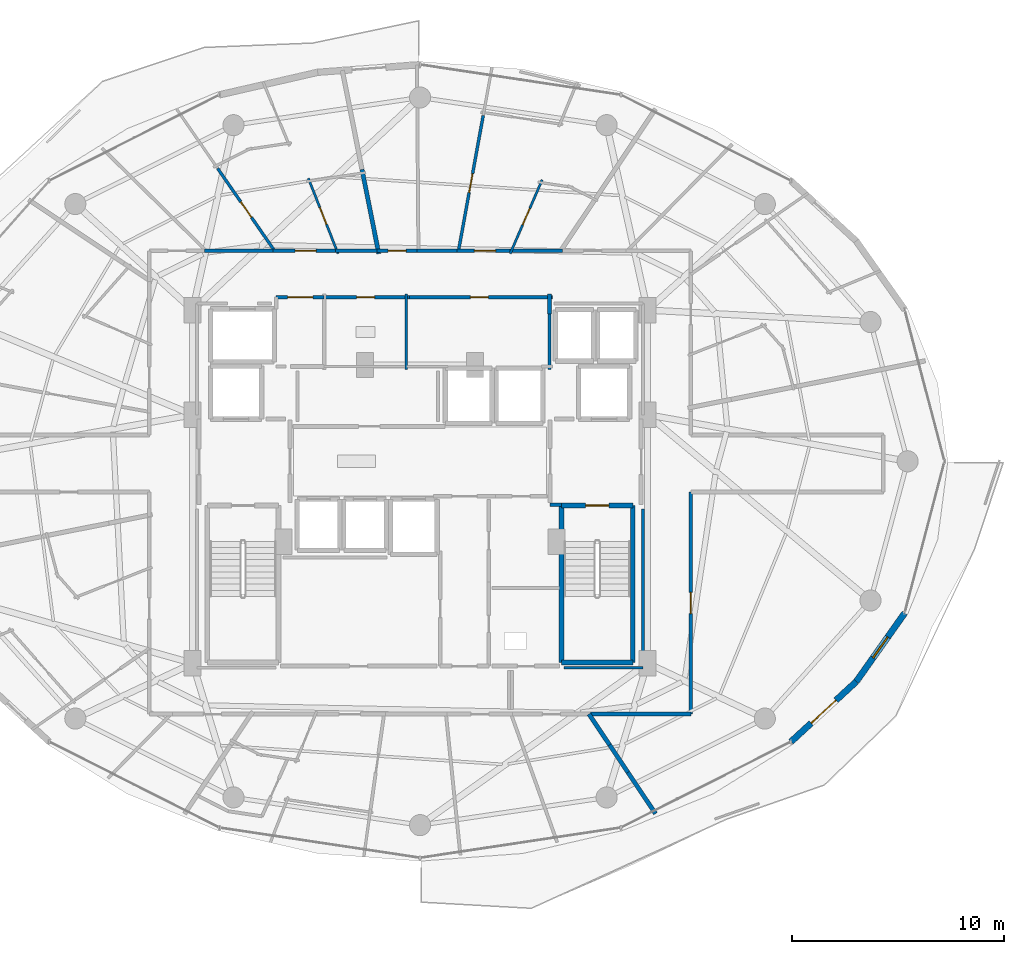
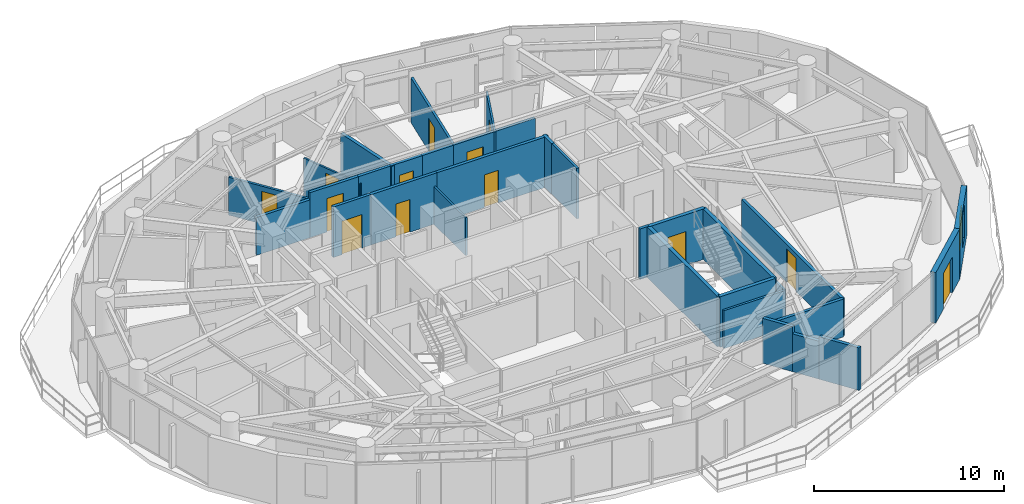
# One storey, part 23 of 29: 32 walls, 13 doors, 1 window, 14 openings.
"""IFC4 building model written with IfcOpenShell, lengths in metres."""

from ifc_helpers import new_model, si_unit, direction, frame, frame_2d, origin, place, context, subcontext, project, spatial, rectangle, extrude, material, layer, layer_set, type_object, element, fill, save


model = new_model("IFC4")

# Units and contexts
model_context = context("Model", 3, precision=1e-05, world=origin(), true_north=direction((0.0, 1.0)))
body_context = subcontext(model_context, "Body", "Model", "MODEL_VIEW")
ifc_project = project(units=[si_unit("LENGTHUNIT", "METRE"), si_unit("AREAUNIT", "SQUARE_METRE"), si_unit("VOLUMEUNIT", "CUBIC_METRE"), si_unit("PLANEANGLEUNIT", "RADIAN"), si_unit("MASSUNIT", "GRAM", prefix="KILO")], contexts=[model_context])

# Site, building, storey
site_placement = place(None, origin())
site = spatial("IfcSite", under=ifc_project, at=site_placement, CompositionType="ELEMENT")
building_placement = place(site_placement, origin())
building = spatial("IfcBuilding", under=site, at=building_placement, Name="Vorneva Point Tower", CompositionType="ELEMENT")
storey_placement = place(building_placement, frame((0.0, 0.0, 150.10009765625)))
storey = spatial("IfcBuildingStorey", under=building, at=storey_placement, Name="L40", CompositionType="ELEMENT", Elevation=150.10009765625)

# Wall, opening, door
ifc_material_1 = material(Name="Precast concrete B50 (C40/50)", Category="concrete")
ifc_layer_1 = layer(ifc_material_1, 0.300048828125)
ifc_layer_set_1 = layer_set([ifc_layer_1], Name="Precast concrete B50 (C40/50)")
wall_type_1 = type_object("IfcWallType", Name="WL-EXT-300", PredefinedType="STANDARD", material=ifc_layer_set_1)
wall_1_placement = place(storey_placement, frame((55.5361328125, 12.74169921875, 0.0), z_axis=(0.0, 0.0, 1.0), x_axis=(0.735477154165, 0.677549522693, 0.0)))
wall_1 = element("IfcWall", 1, at=wall_1_placement, inside=storey, type_object=wall_type_1, Name="L40 Pale-Metal Facade Spandrel Wall 15.1", PredefinedType="STANDARD", context=body_context, shape_type="SweptSolid", body=[
    extrude(rectangle(XDim=4.193603515625, YDim=0.300048828125, at=frame_2d((2.0966796875, 0.0))), origin(), (0.0, 0.0, 1.0), 3.239990234375),
])
opening_1_placement = place(wall_1_placement, frame((1.296875, 0.0, 0.0)))
opening_1 = element("IfcOpeningElement", 2, at=opening_1_placement, cuts=wall_1, Name="Opening BD-01", PredefinedType="OPENING", context=body_context, shape_type="SweptSolid", body=[
    extrude(rectangle(XDim=1.60009765625, YDim=2.300048828125, at=frame_2d((0.800048828125, 1.14990234375))), frame((0.0, 0.1650390625, 0.0), z_axis=(0.0, -1.0, 0.0), x_axis=(1.0, 0.0, 0.0)), (0.0, 0.0, 1.0), 0.329833984375),
])
ifc_material_2 = material(Name="Pale anodised aluminium", Category="aluminium")
door_type_1 = type_object("IfcDoorType", Name="DR-BAL-1600", OperationType="SLIDING_TO_LEFT", PredefinedType="DOOR", material=ifc_material_2)
door_1_placement = place(opening_1_placement, origin())
door_1 = element("IfcDoor", 3, at=door_1_placement, inside=storey, type_object=door_type_1, Name="L40 Balcony Terrace Access Door 15", OperationType="SLIDING_TO_LEFT", OverallHeight=2.300048828125, OverallWidth=1.60009765625, PredefinedType="DOOR", context=body_context, shape_type="SweptSolid", body=[
    extrude(rectangle(XDim=1.60009765625, YDim=2.300048828125, at=frame_2d((0.800048828125, 1.14990234375))), frame((0.0, 0.02490234375, 0.0), z_axis=(0.0, -1.0, 0.0), x_axis=(1.0, 0.0, 0.0)), (0.0, 0.0, 1.0), 0.050048828125),
])
fill(opening_1, door_1)

# Wall, opening, window
wall_2_placement = place(storey_placement, frame((58.620361328125, 15.5830078125, 0.0), z_axis=(0.0, 0.0, 1.0), x_axis=(0.577269753207, 0.816553508371, 0.0)))
wall_2 = element("IfcWall", 4, at=wall_2_placement, inside=storey, type_object=wall_type_1, Name="L40 Pale-Metal Facade Spandrel Wall 15.2", PredefinedType="STANDARD", context=body_context, shape_type="SweptSolid", body=[
    extrude(rectangle(XDim=3.969970703125, YDim=0.300048828125, at=frame_2d((1.98486328125, 0.0))), origin(), (0.0, 0.0, 1.0), 3.239990234375),
])
opening_2_placement = place(wall_2_placement, frame((1.385009765625, 0.0, 0.85009765625)))
opening_2 = element("IfcOpeningElement", 5, at=opening_2_placement, cuts=wall_2, Name="Opening W-04", PredefinedType="OPENING", context=body_context, shape_type="SweptSolid", body=[
    extrude(rectangle(XDim=1.199951171875, YDim=2.10009765625, at=frame_2d((0.60009765625, 1.050048828125))), frame((0.0, 0.1650390625, 0.0), z_axis=(0.0, -1.0, 0.0), x_axis=(1.0, 0.0, 0.0)), (0.0, 0.0, 1.0), 0.329833984375),
])
ifc_material_3 = material(Name="Double low-e laminated glass IGU", Category="glass")
window_type = type_object("IfcWindowType", Name="WN-RES-1200", PartitioningType="SINGLE_PANEL", PredefinedType="WINDOW", material=ifc_material_3)
window_placement = place(opening_2_placement, origin())
window = element("IfcWindow", 6, at=window_placement, inside=storey, type_object=window_type, Name="L40 Facade Window 15", OverallHeight=2.10009765625, OverallWidth=1.199951171875, PartitioningType="SINGLE_PANEL", PredefinedType="WINDOW", context=body_context, shape_type="SweptSolid", body=[
    extrude(rectangle(XDim=1.199951171875, YDim=2.10009765625, at=frame_2d((0.60009765625, 1.050048828125))), frame((0.0, 0.030029296875, 0.0), z_axis=(0.0, -1.0, 0.0), x_axis=(1.0, 0.0, 0.0)), (0.0, 0.0, 1.0), 0.06005859375),
])
fill(opening_2, window)

# Wall
ifc_material_4 = material(Name="Fire-rated acoustic gypsum stud partition", Category="gypsum")
ifc_layer_2 = layer(ifc_material_4, 0.110107421875)
ifc_layer_set_2 = layer_set([ifc_layer_2], Name="Fire-rated acoustic gypsum stud partition")
wall_type_2 = type_object("IfcWallType", Name="WL-PART-110", PredefinedType="PARTITIONING", material=ifc_layer_set_2)
wall_3_placement = place(storey_placement, frame((37.35009765625, 30.340087890625, 0.0), z_axis=(0.0, 0.0, 1.0), x_axis=(0.0, 1.0, 0.0)))
element("IfcWall", 7, at=wall_3_placement, inside=storey, type_object=wall_type_2, Name="L40 Interior Partition 019", PredefinedType="PARTITIONING", context=body_context, shape_type="SweptSolid", body=[
    extrude(rectangle(XDim=3.559814453125, YDim=0.110107421875, at=frame_2d((1.77978515625, 0.0))), origin(), (0.0, 0.0, 1.0), 2.431884765625),
])

# Wall, opening, door
wall_4_placement = place(storey_placement, frame((42.26123046875, 35.821533203125, 0.0), z_axis=(0.0, 0.0, 1.0), x_axis=(0.398098222937, 0.917342795739, 0.0)))
wall_4 = element("IfcWall", 8, at=wall_4_placement, inside=storey, type_object=wall_type_2, Name="L40 Interior Partition 076", PredefinedType="PARTITIONING", context=body_context, shape_type="SweptSolid", body=[
    extrude(rectangle(XDim=3.796630859375, YDim=0.110107421875, at=frame_2d((1.8984375, 0.0))), origin(), (0.0, 0.0, 1.0), 2.885986328125),
])
opening_3_placement = place(wall_4_placement, frame((1.473388671875, 0.0, 0.0)))
opening_3 = element("IfcOpeningElement", 9, at=opening_3_placement, cuts=wall_4, Name="Opening ID-02", PredefinedType="OPENING", context=body_context, shape_type="SweptSolid", body=[
    extrude(rectangle(XDim=0.85009765625, YDim=2.10009765625, at=frame_2d((0.425048828125, 1.050048828125))), frame((0.0, 0.06982421875, 0.0), z_axis=(0.0, -1.0, 0.0), x_axis=(1.0, 0.0, 0.0)), (0.0, 0.0, 1.0), 0.139892578125),
])
ifc_material_5 = material(Name="Engineered oak fire-rated door leaf", Category="wood")
door_type_2 = type_object("IfcDoorType", Name="DR-BATH-850", OperationType="NOTDEFINED", PredefinedType="DOOR", material=ifc_material_5)
door_2_placement = place(opening_3_placement, origin())
door_2 = element("IfcDoor", 10, at=door_2_placement, inside=storey, type_object=door_type_2, Name="L40 Door Living and Dining Room L40-02 / Bathroom L40-02", OperationType="SINGLE_SWING_RIGHT", OverallHeight=2.10009765625, OverallWidth=0.85009765625, PredefinedType="DOOR", context=body_context, shape_type="SweptSolid", body=[
    extrude(rectangle(XDim=0.85009765625, YDim=2.10009765625, at=frame_2d((0.425048828125, 1.050048828125))), frame((0.0, 0.02490234375, 0.0), z_axis=(0.0, -1.0, 0.0), x_axis=(1.0, 0.0, 0.0)), (0.0, 0.0, 1.0), 0.050048828125),
])
fill(opening_3, door_2)

wall_5_placement = place(storey_placement, frame((34.122314453125, 35.81982421875, 0.0), z_axis=(0.0, 0.0, 1.0), x_axis=(-0.36711859649, 0.930174142896, 0.0)))
wall_5 = element("IfcWall", 11, at=wall_5_placement, inside=storey, type_object=wall_type_2, Name="L40 Interior Partition 087", PredefinedType="PARTITIONING", context=body_context, shape_type="SweptSolid", body=[
    extrude(rectangle(XDim=3.826416015625, YDim=0.110107421875, at=frame_2d((1.9130859375, 0.0))), origin(), (0.0, 0.0, 1.0), 2.431884765625),
])
opening_4_placement = place(wall_5_placement, frame((1.48828125, 0.0, 0.0)))
opening_4 = element("IfcOpeningElement", 12, at=opening_4_placement, cuts=wall_5, Name="Opening ID-02", PredefinedType="OPENING", context=body_context, shape_type="SweptSolid", body=[
    extrude(rectangle(XDim=0.85009765625, YDim=2.10009765625, at=frame_2d((0.425048828125, 1.050048828125))), frame((0.0, 0.06982421875, 0.0), z_axis=(0.0, -1.0, 0.0), x_axis=(1.0, 0.0, 0.0)), (0.0, 0.0, 1.0), 0.139892578125),
])
door_3_placement = place(opening_4_placement, origin())
door_3 = element("IfcDoor", 13, at=door_3_placement, inside=storey, type_object=door_type_2, Name="L40 Door Living and Dining Room L40-03 / Bathroom L40-03", OperationType="SINGLE_SWING_LEFT", OverallHeight=2.10009765625, OverallWidth=0.85009765625, PredefinedType="DOOR", context=body_context, shape_type="SweptSolid", body=[
    extrude(rectangle(XDim=0.85009765625, YDim=2.10009765625, at=frame_2d((0.425048828125, 1.050048828125))), frame((0.0, 0.02490234375, 0.0), z_axis=(0.0, -1.0, 0.0), x_axis=(1.0, 0.0, 0.0)), (0.0, 0.0, 1.0), 0.050048828125),
])
fill(opening_4, door_3)

ifc_layer_3 = layer(ifc_material_4, 0.139892578125)
ifc_layer_set_3 = layer_set([ifc_layer_3], Name="Fire-rated acoustic gypsum stud partition")
wall_type_3 = type_object("IfcWallType", Name="WL-PART-140", PredefinedType="PARTITIONING", material=ifc_layer_set_3)
wall_6_placement = place(storey_placement, frame((40.985595703125, 42.349365234375, 0.0), z_axis=(0.0, 0.0, 1.0), x_axis=(-0.179654893395, -0.983729698281, 0.0)))
wall_6 = element("IfcWall", 14, at=wall_6_placement, inside=storey, type_object=wall_type_3, Name="L40 Interior Partition 083", PredefinedType="PARTITIONING", context=body_context, shape_type="SweptSolid", body=[
    extrude(rectangle(XDim=6.50537109375, YDim=0.139892578125, at=frame_2d((3.252685546875, 0.0))), origin(), (0.0, 0.0, 1.0), 2.885986328125),
])
opening_5_placement = place(wall_6_placement, frame((2.802490234375, 0.0, 0.0)))
opening_5 = element("IfcOpeningElement", 15, at=opening_5_placement, cuts=wall_6, Name="Opening ID-01", PredefinedType="OPENING", context=body_context, shape_type="SweptSolid", body=[
    extrude(rectangle(XDim=0.89990234375, YDim=2.10009765625, at=frame_2d((0.449951171875, 1.050048828125))), frame((0.0, 0.0849609375, 0.0), z_axis=(0.0, -1.0, 0.0), x_axis=(1.0, 0.0, 0.0)), (0.0, 0.0, 1.0), 0.169677734375),
])
door_type_3 = type_object("IfcDoorType", Name="DR-ROOM-900", OperationType="NOTDEFINED", PredefinedType="DOOR", material=ifc_material_5)
door_4_placement = place(opening_5_placement, origin())
door_4 = element("IfcDoor", 16, at=door_4_placement, inside=storey, type_object=door_type_3, Name="L40 Door Living and Dining Room L40-02 / Master Bedroom L40-02.1", OperationType="SINGLE_SWING_RIGHT", OverallHeight=2.10009765625, OverallWidth=0.89990234375, PredefinedType="DOOR", context=body_context, shape_type="SweptSolid", body=[
    extrude(rectangle(XDim=0.89990234375, YDim=2.10009765625, at=frame_2d((0.449951171875, 1.050048828125))), frame((0.0, 0.02490234375, 0.0), z_axis=(0.0, -1.0, 0.0), x_axis=(1.0, 0.0, 0.0)), (0.0, 0.0, 1.0), 0.050048828125),
])
fill(opening_5, door_4)

wall_7_placement = place(storey_placement, frame((28.428466796875, 39.848876953125, 0.0), z_axis=(0.0, 0.0, 1.0), x_axis=(0.568542808453, -0.822653678626, 0.0)))
wall_7 = element("IfcWall", 17, at=wall_7_placement, inside=storey, type_object=wall_type_3, Name="L40 Interior Partition 093", PredefinedType="PARTITIONING", context=body_context, shape_type="SweptSolid", body=[
    extrude(rectangle(XDim=4.739501953125, YDim=0.139892578125, at=frame_2d((2.36962890625, 0.0))), origin(), (0.0, 0.0, 1.0), 2.431884765625),
])
opening_6_placement = place(wall_7_placement, frame((1.919677734375, 0.0, 0.0)))
opening_6 = element("IfcOpeningElement", 18, at=opening_6_placement, cuts=wall_7, Name="Opening ID-01", PredefinedType="OPENING", context=body_context, shape_type="SweptSolid", body=[
    extrude(rectangle(XDim=0.89990234375, YDim=2.10009765625, at=frame_2d((0.449951171875, 1.050048828125))), frame((0.0, 0.0849609375, 0.0), z_axis=(0.0, -1.0, 0.0), x_axis=(1.0, 0.0, 0.0)), (0.0, 0.0, 1.0), 0.169677734375),
])
door_5_placement = place(opening_6_placement, origin())
door_5 = element("IfcDoor", 19, at=door_5_placement, inside=storey, type_object=door_type_3, Name="L40 Door Living and Dining Room L40-03 / Master Bedroom L40-03.1", OperationType="SINGLE_SWING_RIGHT", OverallHeight=2.10009765625, OverallWidth=0.89990234375, PredefinedType="DOOR", context=body_context, shape_type="SweptSolid", body=[
    extrude(rectangle(XDim=0.89990234375, YDim=2.10009765625, at=frame_2d((0.449951171875, 1.050048828125))), frame((0.0, 0.02490234375, 0.0), z_axis=(0.0, -1.0, 0.0), x_axis=(1.0, 0.0, 0.0)), (0.0, 0.0, 1.0), 0.050048828125),
])
fill(opening_6, door_5)

# Walls
wall_8_placement = place(storey_placement, frame((44.1201171875, 30.340087890625, 0.0), z_axis=(0.0, 0.0, 1.0), x_axis=(0.0, 1.0, 0.0)))
element("IfcWall", 20, at=wall_8_placement, inside=storey, type_object=wall_type_3, Name="L40 Interior Closure Partition 140", PredefinedType="PARTITIONING", context=body_context, shape_type="SweptSolid", body=[
    extrude(rectangle(XDim=2.659912109375, YDim=0.139892578125, at=frame_2d((1.330078125, 0.0))), origin(), (0.0, 0.0, 1.0), 3.239990234375),
])
wall_9_placement = place(storey_placement, frame((44.804931640625, 16.239990234375, 0.0), z_axis=(0.0, 0.0, 1.0), x_axis=(1.0, 0.0, 0.0)))
element("IfcWall", 21, at=wall_9_placement, inside=storey, type_object=wall_type_3, Name="L40 Interior Closure Partition 144", PredefinedType="PARTITIONING", context=body_context, shape_type="SweptSolid", body=[
    extrude(rectangle(XDim=3.7451171875, YDim=0.139892578125, at=frame_2d((1.87255859375, 0.0))), origin(), (0.0, 0.0, 1.0), 2.431884765625),
])
wall_10_placement = place(storey_placement, frame((48.550048828125, 16.239990234375, 0.0), z_axis=(0.0, 0.0, 1.0), x_axis=(0.0, 1.0, 0.0)))
element("IfcWall", 22, at=wall_10_placement, inside=storey, type_object=wall_type_3, Name="L40 Interior Closure Partition 145", PredefinedType="PARTITIONING", context=body_context, shape_type="SweptSolid", body=[
    extrude(rectangle(XDim=7.513916015625, YDim=0.139892578125, at=frame_2d((3.7568359375, 0.0))), origin(), (0.0, 0.0, 1.0), 2.431884765625),
])
ifc_material_6 = material(Name="Autoclaved aerated concrete blockwork", Category="masonry")
ifc_layer_4 = layer(ifc_material_6, 0.179931640625)
ifc_layer_set_4 = layer_set([ifc_layer_4], Name="Autoclaved aerated concrete blockwork")
wall_type_4 = type_object("IfcWallType", Name="WL-PART-180", PredefinedType="PARTITIONING", material=ifc_layer_set_4)
wall_11_placement = place(storey_placement, frame((44.14990234375, 23.949951171875, 0.0), z_axis=(0.0, 0.0, 1.0), x_axis=(1.0, 0.0, 0.0)))
element("IfcWall", 23, at=wall_11_placement, inside=storey, type_object=wall_type_4, Name="L40 Interior Partition 004", PredefinedType="PARTITIONING", context=body_context, shape_type="SweptSolid", body=[
    extrude(rectangle(XDim=0.5400390625, YDim=0.179931640625, at=frame_2d((0.27001953125, 0.0))), origin(), (0.0, 0.0, 1.0), 3.239990234375),
])

# Wall, opening, door
wall_12_placement = place(storey_placement, frame((33.469970703125, 33.760009765625, 0.0), z_axis=(0.0, 0.0, 1.0), x_axis=(-1.0, 0.0, 0.0)))
wall_12 = element("IfcWall", 24, at=wall_12_placement, inside=storey, type_object=wall_type_4, Name="L40 Interior Partition 008", PredefinedType="PARTITIONING", context=body_context, shape_type="SweptSolid", body=[
    extrude(rectangle(XDim=2.27001953125, YDim=0.179931640625, at=frame_2d((1.135009765625, 0.0))), origin(), (0.0, 0.0, 1.0), 3.239990234375),
])
opening_7_placement = place(wall_12_placement, frame((0.534912109375, 0.0, 0.0)))
opening_7 = element("IfcOpeningElement", 25, at=opening_7_placement, cuts=wall_12, Name="Opening FD-02", PredefinedType="OPENING", context=body_context, shape_type="SweptSolid", body=[
    extrude(rectangle(XDim=1.199951171875, YDim=2.14990234375, at=frame_2d((0.60009765625, 1.074951171875))), frame((0.0, 0.10498046875, 0.0), z_axis=(0.0, -1.0, 0.0), x_axis=(1.0, 0.0, 0.0)), (0.0, 0.0, 1.0), 0.209716796875),
])
ifc_material_7 = material(Name="Fire-rated powder-coated steel", Category="steel")
door_type_4 = type_object("IfcDoorType", Name="DR-FFL-1200", OperationType="NOTDEFINED", PredefinedType="DOOR", material=ifc_material_7)
door_6_placement = place(opening_7_placement, origin())
door_6 = element("IfcDoor", 26, at=door_6_placement, inside=storey, type_object=door_type_4, Name="L40 Door Service Lift Lobby / L40 Circulation Corridor", OperationType="SINGLE_SWING_RIGHT", OverallHeight=2.14990234375, OverallWidth=1.199951171875, PredefinedType="DOOR", context=body_context, shape_type="SweptSolid", body=[
    extrude(rectangle(XDim=1.199951171875, YDim=2.14990234375, at=frame_2d((0.60009765625, 1.074951171875))), frame((0.0, 0.02490234375, 0.0), z_axis=(0.0, -1.0, 0.0), x_axis=(1.0, 0.0, 0.0)), (0.0, 0.0, 1.0), 0.050048828125),
])
fill(opening_7, door_6)

wall_13_placement = place(storey_placement, frame((37.489990234375, 33.760009765625, 0.0), z_axis=(0.0, 0.0, 1.0), x_axis=(-1.0, 0.0, 0.0)))
wall_13 = element("IfcWall", 27, at=wall_13_placement, inside=storey, type_object=wall_type_4, Name="L40 Interior Partition 021", PredefinedType="PARTITIONING", context=body_context, shape_type="SweptSolid", body=[
    extrude(rectangle(XDim=4.1298828125, YDim=0.179931640625, at=frame_2d((2.06494140625, 0.0))), origin(), (0.0, 0.0, 1.0), 3.239990234375),
])
opening_8_placement = place(wall_13_placement, frame((1.639892578125, 0.0, 0.0)))
opening_8 = element("IfcOpeningElement", 28, at=opening_8_placement, cuts=wall_13, Name="Opening ID-02", PredefinedType="OPENING", context=body_context, shape_type="SweptSolid", body=[
    extrude(rectangle(XDim=0.85009765625, YDim=2.10009765625, at=frame_2d((0.425048828125, 1.050048828125))), frame((0.0, 0.10498046875, 0.0), z_axis=(0.0, -1.0, 0.0), x_axis=(1.0, 0.0, 0.0)), (0.0, 0.0, 1.0), 0.209716796875),
])
door_7_placement = place(opening_8_placement, origin())
door_7 = element("IfcDoor", 29, at=door_7_placement, inside=storey, type_object=door_type_2, Name="L40 Door Accessible WC / L40 Circulation Corridor", OperationType="SINGLE_SWING_LEFT", OverallHeight=2.10009765625, OverallWidth=0.85009765625, PredefinedType="DOOR", context=body_context, shape_type="SweptSolid", body=[
    extrude(rectangle(XDim=0.85009765625, YDim=2.10009765625, at=frame_2d((0.425048828125, 1.050048828125))), frame((0.0, 0.02490234375, 0.0), z_axis=(0.0, -1.0, 0.0), x_axis=(1.0, 0.0, 0.0)), (0.0, 0.0, 1.0), 0.050048828125),
])
fill(opening_8, door_7)

wall_14_placement = place(storey_placement, frame((44.260009765625, 33.760009765625, 0.0), z_axis=(0.0, 0.0, 1.0), x_axis=(-1.0, 0.0, 0.0)))
wall_14 = element("IfcWall", 30, at=wall_14_placement, inside=storey, type_object=wall_type_4, Name="L40 Interior Partition 023", PredefinedType="PARTITIONING", context=body_context, shape_type="SweptSolid", body=[
    extrude(rectangle(XDim=6.909912109375, YDim=0.179931640625, at=frame_2d((3.455078125, 0.0))), origin(), (0.0, 0.0, 1.0), 3.239990234375),
])
opening_9_placement = place(wall_14_placement, frame((3.030029296875, 0.0, 0.0)))
opening_9 = element("IfcOpeningElement", 31, at=opening_9_placement, cuts=wall_14, Name="Opening ID-02", PredefinedType="OPENING", context=body_context, shape_type="SweptSolid", body=[
    extrude(rectangle(XDim=0.85009765625, YDim=2.10009765625, at=frame_2d((0.425048828125, 1.050048828125))), frame((0.0, 0.10498046875, 0.0), z_axis=(0.0, -1.0, 0.0), x_axis=(1.0, 0.0, 0.0)), (0.0, 0.0, 1.0), 0.209716796875),
])
door_8_placement = place(opening_9_placement, origin())
door_8 = element("IfcDoor", 32, at=door_8_placement, inside=storey, type_object=door_type_2, Name="L40 Door Public Restroom / L40 Circulation Corridor", OperationType="SINGLE_SWING_RIGHT", OverallHeight=2.10009765625, OverallWidth=0.85009765625, PredefinedType="DOOR", context=body_context, shape_type="SweptSolid", body=[
    extrude(rectangle(XDim=0.85009765625, YDim=2.10009765625, at=frame_2d((0.425048828125, 1.050048828125))), frame((0.0, 0.02490234375, 0.0), z_axis=(0.0, -1.0, 0.0), x_axis=(1.0, 0.0, 0.0)), (0.0, 0.0, 1.0), 0.050048828125),
])
fill(opening_9, door_8)

# Wall
wall_15_placement = place(storey_placement, frame((44.1201171875, 32.969970703125, 0.0), z_axis=(0.0, 0.0, 1.0), x_axis=(0.0, 1.0, 0.0)))
element("IfcWall", 33, at=wall_15_placement, inside=storey, type_object=wall_type_4, Name="L40 Interior Partition 024", PredefinedType="PARTITIONING", context=body_context, shape_type="SweptSolid", body=[
    extrude(rectangle(XDim=0.929931640625, YDim=0.179931640625, at=frame_2d((0.46484375, 0.0))), origin(), (0.0, 0.0, 1.0), 3.239990234375),
])

# Wall, opening, door
wall_16_placement = place(storey_placement, frame((42.382080078125, 35.949951171875, 0.0), z_axis=(0.0, 0.0, 1.0), x_axis=(-1.0, 0.0, 0.0)))
wall_16 = element("IfcWall", 34, at=wall_16_placement, inside=storey, type_object=wall_type_4, Name="L40 Interior Partition 031", PredefinedType="PARTITIONING", context=body_context, shape_type="SweptSolid", body=[
    extrude(rectangle(XDim=2.625, YDim=0.179931640625, at=frame_2d((1.3125, 0.0))), origin(), (0.0, 0.0, 1.0), 2.885986328125),
])
opening_10_placement = place(wall_16_placement, frame((0.8125, 0.0, 0.0)))
opening_10 = element("IfcOpeningElement", 35, at=opening_10_placement, cuts=wall_16, Name="Opening UD-01", PredefinedType="OPENING", context=body_context, shape_type="SweptSolid", body=[
    extrude(rectangle(XDim=1.0, YDim=2.14990234375, at=frame_2d((0.5, 1.074951171875))), frame((0.0, 0.10498046875, 0.0), z_axis=(0.0, -1.0, 0.0), x_axis=(1.0, 0.0, 0.0)), (0.0, 0.0, 1.0), 0.209716796875),
])
door_type_5 = type_object("IfcDoorType", Name="DR-UNIT-1000", OperationType="NOTDEFINED", PredefinedType="DOOR", material=ifc_material_5)
door_9_placement = place(opening_10_placement, origin())
door_9 = element("IfcDoor", 36, at=door_9_placement, inside=storey, type_object=door_type_5, Name="L40 Door L40 Circulation Corridor / Living and Dining Room L40-02", OperationType="SINGLE_SWING_LEFT", OverallHeight=2.14990234375, OverallWidth=1.0, PredefinedType="DOOR", context=body_context, shape_type="SweptSolid", body=[
    extrude(rectangle(XDim=1.0, YDim=2.14990234375, at=frame_2d((0.5, 1.074951171875))), frame((0.0, 0.02490234375, 0.0), z_axis=(0.0, -1.0, 0.0), x_axis=(1.0, 0.0, 0.0)), (0.0, 0.0, 1.0), 0.050048828125),
])
fill(opening_10, door_9)

# Walls
wall_17_placement = place(storey_placement, frame((44.72802734375, 35.949951171875, 0.0), z_axis=(0.0, 0.0, 1.0), x_axis=(-1.0, 0.0, 0.0)))
element("IfcWall", 37, at=wall_17_placement, inside=storey, type_object=wall_type_4, Name="L40 Interior Partition 032", PredefinedType="PARTITIONING", context=body_context, shape_type="SweptSolid", body=[
    extrude(rectangle(XDim=2.486083984375, YDim=0.179931640625, at=frame_2d((1.2431640625, 0.0))), origin(), (0.0, 0.0, 1.0), 2.885986328125),
])
wall_18_placement = place(storey_placement, frame((39.757080078125, 35.949951171875, 0.0), z_axis=(0.0, 0.0, 1.0), x_axis=(-1.0, 0.0, 0.0)))
element("IfcWall", 38, at=wall_18_placement, inside=storey, type_object=wall_type_4, Name="L40 Interior Partition 033", PredefinedType="PARTITIONING", context=body_context, shape_type="SweptSolid", body=[
    extrude(rectangle(XDim=1.89501953125, YDim=0.179931640625, at=frame_2d((0.947509765625, 0.0))), origin(), (0.0, 0.0, 1.0), 2.885986328125),
])

# Wall, opening, door
wall_19_placement = place(storey_placement, frame((37.862060546875, 35.949951171875, 0.0), z_axis=(0.0, 0.0, 1.0), x_axis=(-1.0, 0.0, 0.0)))
wall_19 = element("IfcWall", 39, at=wall_19_placement, inside=storey, type_object=wall_type_4, Name="L40 Interior Partition 034", PredefinedType="PARTITIONING", context=body_context, shape_type="SweptSolid", body=[
    extrude(rectangle(XDim=1.902099609375, YDim=0.179931640625, at=frame_2d((0.951171875, 0.0))), origin(), (0.0, 0.0, 1.0), 2.885986328125),
])
opening_11_placement = place(wall_19_placement, frame((0.52587890625, 0.0, 0.0)))
opening_11 = element("IfcOpeningElement", 40, at=opening_11_placement, cuts=wall_19, Name="Opening ID-02", PredefinedType="OPENING", context=body_context, shape_type="SweptSolid", body=[
    extrude(rectangle(XDim=0.85009765625, YDim=2.10009765625, at=frame_2d((0.425048828125, 1.050048828125))), frame((0.0, 0.10498046875, 0.0), z_axis=(0.0, -1.0, 0.0), x_axis=(1.0, 0.0, 0.0)), (0.0, 0.0, 1.0), 0.209716796875),
])
door_10_placement = place(opening_11_placement, origin())
door_10 = element("IfcDoor", 41, at=door_10_placement, inside=storey, type_object=door_type_2, Name="L40 Access Door L40 Circulation Corridor", OperationType="SINGLE_SWING_RIGHT", OverallHeight=2.10009765625, OverallWidth=0.85009765625, PredefinedType="DOOR", context=body_context, shape_type="SweptSolid", body=[
    extrude(rectangle(XDim=0.85009765625, YDim=2.10009765625, at=frame_2d((0.425048828125, 1.050048828125))), frame((0.0, 0.02490234375, 0.0), z_axis=(0.0, -1.0, 0.0), x_axis=(1.0, 0.0, 0.0)), (0.0, 0.0, 1.0), 0.050048828125),
])
fill(opening_11, door_10)

wall_20_placement = place(storey_placement, frame((34.131103515625, 35.949951171875, 0.0), z_axis=(0.0, 0.0, 1.0), x_axis=(-1.0, 0.0, 0.0)))
wall_20 = element("IfcWall", 42, at=wall_20_placement, inside=storey, type_object=wall_type_4, Name="L40 Interior Partition 035", PredefinedType="PARTITIONING", context=body_context, shape_type="SweptSolid", body=[
    extrude(rectangle(XDim=3.0810546875, YDim=0.179931640625, at=frame_2d((1.54052734375, 0.0))), origin(), (0.0, 0.0, 1.0), 2.885986328125),
])
opening_12_placement = place(wall_20_placement, frame((1.04052734375, 0.0, 0.0)))
opening_12 = element("IfcOpeningElement", 43, at=opening_12_placement, cuts=wall_20, Name="Opening UD-01", PredefinedType="OPENING", context=body_context, shape_type="SweptSolid", body=[
    extrude(rectangle(XDim=1.0, YDim=2.14990234375, at=frame_2d((0.5, 1.074951171875))), frame((0.0, 0.10498046875, 0.0), z_axis=(0.0, -1.0, 0.0), x_axis=(1.0, 0.0, 0.0)), (0.0, 0.0, 1.0), 0.209716796875),
])
door_11_placement = place(opening_12_placement, origin())
door_11 = element("IfcDoor", 44, at=door_11_placement, inside=storey, type_object=door_type_5, Name="L40 Door L40 Circulation Corridor / Living and Dining Room L40-03", OperationType="SINGLE_SWING_RIGHT", OverallHeight=2.14990234375, OverallWidth=1.0, PredefinedType="DOOR", context=body_context, shape_type="SweptSolid", body=[
    extrude(rectangle(XDim=1.0, YDim=2.14990234375, at=frame_2d((0.5, 1.074951171875))), frame((0.0, 0.02490234375, 0.0), z_axis=(0.0, -1.0, 0.0), x_axis=(1.0, 0.0, 0.0)), (0.0, 0.0, 1.0), 0.050048828125),
])
fill(opening_12, door_11)

# Walls
wall_21_placement = place(storey_placement, frame((36.10009765625, 35.949951171875, 0.0), z_axis=(0.0, 0.0, 1.0), x_axis=(-1.0, 0.0, 0.0)))
element("IfcWall", 45, at=wall_21_placement, inside=storey, type_object=wall_type_4, Name="L40 Interior Partition 036", PredefinedType="PARTITIONING", context=body_context, shape_type="SweptSolid", body=[
    extrude(rectangle(XDim=2.109130859375, YDim=0.179931640625, at=frame_2d((1.0546875, 0.0))), origin(), (0.0, 0.0, 1.0), 2.885986328125),
])
wall_22_placement = place(storey_placement, frame((31.050048828125, 35.949951171875, 0.0), z_axis=(0.0, 0.0, 1.0), x_axis=(-1.0, 0.0, 0.0)))
element("IfcWall", 46, at=wall_22_placement, inside=storey, type_object=wall_type_4, Name="L40 Interior Partition 037", PredefinedType="PARTITIONING", context=body_context, shape_type="SweptSolid", body=[
    extrude(rectangle(XDim=3.244140625, YDim=0.179931640625, at=frame_2d((1.6220703125, 0.0))), origin(), (0.0, 0.0, 1.0), 2.431884765625),
])
wall_23_placement = place(storey_placement, frame((46.056884765625, 14.050048828125, 0.0), z_axis=(0.0, 0.0, 1.0), x_axis=(1.0, 0.0, 0.0)))
element("IfcWall", 47, at=wall_23_placement, inside=storey, type_object=wall_type_4, Name="L40 Interior Partition 058", PredefinedType="PARTITIONING", context=body_context, shape_type="SweptSolid", body=[
    extrude(rectangle(XDim=4.7431640625, YDim=0.179931640625, at=frame_2d((2.37158203125, 0.0))), origin(), (0.0, 0.0, 1.0), 2.431884765625),
])

# Wall, opening, door
wall_24_placement = place(storey_placement, frame((50.800048828125, 14.050048828125, 0.0), z_axis=(0.0, 0.0, 1.0), x_axis=(0.0, 1.0, 0.0)))
wall_24 = element("IfcWall", 48, at=wall_24_placement, inside=storey, type_object=wall_type_4, Name="L40 Interior Partition 059", PredefinedType="PARTITIONING", context=body_context, shape_type="SweptSolid", body=[
    extrude(rectangle(XDim=10.5, YDim=0.179931640625, at=frame_2d((5.25, 0.0))), origin(), (0.0, 0.0, 1.0), 2.431884765625),
])
opening_13_placement = place(wall_24_placement, frame((4.75, 0.0, 0.0)))
opening_13 = element("IfcOpeningElement", 49, at=opening_13_placement, cuts=wall_24, Name="Opening UD-01", PredefinedType="OPENING", context=body_context, shape_type="SweptSolid", body=[
    extrude(rectangle(XDim=1.0, YDim=2.14990234375, at=frame_2d((0.5, 1.074951171875))), frame((0.0, 0.10498046875, 0.0), z_axis=(0.0, -1.0, 0.0), x_axis=(1.0, 0.0, 0.0)), (0.0, 0.0, 1.0), 0.209716796875),
])
door_12_placement = place(opening_13_placement, origin())
door_12 = element("IfcDoor", 50, at=door_12_placement, inside=storey, type_object=door_type_5, Name="L40 Door L40 Circulation Corridor / Residents Sky Lounge L40-07", OperationType="SINGLE_SWING_RIGHT", OverallHeight=2.14990234375, OverallWidth=1.0, PredefinedType="DOOR", context=body_context, shape_type="SweptSolid", body=[
    extrude(rectangle(XDim=1.0, YDim=2.14990234375, at=frame_2d((0.5, 1.074951171875))), frame((0.0, 0.02490234375, 0.0), z_axis=(0.0, -1.0, 0.0), x_axis=(1.0, 0.0, 0.0)), (0.0, 0.0, 1.0), 0.050048828125),
])
fill(opening_13, door_12)

# Walls
ifc_layer_5 = layer(ifc_material_6, 0.199951171875)
ifc_layer_set_5 = layer_set([ifc_layer_5], Name="Autoclaved aerated concrete blockwork")
wall_type_5 = type_object("IfcWallType", Name="WL-PART-200", PredefinedType="PARTITIONING", material=ifc_layer_set_5)
wall_25_placement = place(storey_placement, frame((35.255615234375, 39.79541015625, 0.0), z_axis=(0.0, 0.0, 1.0), x_axis=(0.195214230991, -0.980760625239, 0.0)))
element("IfcWall", 51, at=wall_25_placement, inside=storey, type_object=wall_type_5, Name="L40 Interior Partition 086", PredefinedType="PARTITIONING", context=body_context, shape_type="SweptSolid", body=[
    extrude(rectangle(XDim=4.060791015625, YDim=0.199951171875, at=frame_2d((2.0302734375, 0.0))), origin(), (0.0, 0.0, 1.0), 2.885986328125),
])
wall_26_placement = place(storey_placement, frame((49.131103515625, 9.341064453125, 0.0), z_axis=(0.0, 0.0, 1.0), x_axis=(-0.555659266741, 0.831410114976, 0.0)))
element("IfcWall", 52, at=wall_26_placement, inside=storey, type_object=wall_type_5, Name="L40 Interior Partition 133", PredefinedType="PARTITIONING", context=body_context, shape_type="SweptSolid", body=[
    extrude(rectangle(XDim=2.348876953125, YDim=0.199951171875, at=frame_2d((1.17431640625, 0.0))), origin(), (0.0, 0.0, 1.0), 2.727783203125),
])
wall_27_placement = place(storey_placement, frame((47.825927734375, 11.2939453125, 0.0), z_axis=(0.0, 0.0, 1.0), x_axis=(-0.55538732275, 0.831591799941, 0.0)))
element("IfcWall", 53, at=wall_27_placement, inside=storey, type_object=wall_type_5, Name="L40 Interior Partition 134", PredefinedType="PARTITIONING", context=body_context, shape_type="SweptSolid", body=[
    extrude(rectangle(XDim=1.557373046875, YDim=0.199951171875, at=frame_2d((0.77880859375, 0.0))), origin(), (0.0, 0.0, 1.0), 2.431884765625),
])
wall_28_placement = place(storey_placement, frame((46.9609375, 12.589111328125, 0.0), z_axis=(0.0, 0.0, 1.0), x_axis=(-0.555437554373, 0.83155825003, 0.0)))
element("IfcWall", 54, at=wall_28_placement, inside=storey, type_object=wall_type_5, Name="L40 Interior Partition 135", PredefinedType="PARTITIONING", context=body_context, shape_type="SweptSolid", body=[
    extrude(rectangle(XDim=1.7568359375, YDim=0.199951171875, at=frame_2d((0.87841796875, 0.0))), origin(), (0.0, 0.0, 1.0), 2.885986328125),
])

# Wall, opening, door
ifc_material_8 = material(Name="Concrete B50 (C40/50)", Category="concrete")
ifc_layer_6 = layer(ifc_material_8, 0.219970703125)
ifc_layer_set_6 = layer_set([ifc_layer_6], Name="Concrete B50 (C40/50)")
wall_type_6 = type_object("IfcWallType", Name="WL-SHFT-220", PredefinedType="SOLIDWALL", material=ifc_layer_set_6)
wall_29_placement = place(storey_placement, frame((44.68994140625, 23.909912109375, 0.0), z_axis=(0.0, 0.0, 1.0), x_axis=(1.0, 0.0, 0.0)))
wall_29 = element("IfcWall", 55, at=wall_29_placement, inside=storey, type_object=wall_type_6, Name="L40 Exit Stair ST2 Shaft Wall near", PredefinedType="SOLIDWALL", context=body_context, shape_type="SweptSolid", body=[
    extrude(rectangle(XDim=3.3701171875, YDim=0.219970703125, at=frame_2d((1.68505859375, 0.0))), origin(), (0.0, 0.0, 1.0), 3.239990234375),
])
opening_14_placement = place(wall_29_placement, frame((1.135009765625, 0.0, 0.0)))
opening_14 = element("IfcOpeningElement", 56, at=opening_14_placement, cuts=wall_29, Name="Opening FD-01", PredefinedType="OPENING", context=body_context, shape_type="SweptSolid", body=[
    extrude(rectangle(XDim=1.10009765625, YDim=2.14990234375, at=frame_2d((0.550048828125, 1.074951171875))), frame((0.0, 0.125, 0.0), z_axis=(0.0, -1.0, 0.0), x_axis=(1.0, 0.0, 0.0)), (0.0, 0.0, 1.0), 0.249755859375),
])
door_type_6 = type_object("IfcDoorType", Name="DR-STAIR-1100", OperationType="NOTDEFINED", PredefinedType="DOOR", material=ifc_material_7)
door_13_placement = place(opening_14_placement, origin())
door_13 = element("IfcDoor", 57, at=door_13_placement, inside=storey, type_object=door_type_6, Name="L40 Exit Stair ST2 Fire Door", OperationType="SINGLE_SWING_LEFT", OverallHeight=2.14990234375, OverallWidth=1.10009765625, PredefinedType="DOOR", context=body_context, shape_type="SweptSolid", body=[
    extrude(rectangle(XDim=1.10009765625, YDim=2.14990234375, at=frame_2d((0.550048828125, 1.074951171875))), frame((0.0, 0.02490234375, 0.0), z_axis=(0.0, -1.0, 0.0), x_axis=(1.0, 0.0, 0.0)), (0.0, 0.0, 1.0), 0.050048828125),
])
fill(opening_14, door_13)

# Walls
wall_30_placement = place(storey_placement, frame((48.06005859375, 23.909912109375, 0.0), z_axis=(0.0, 0.0, 1.0), x_axis=(0.0, -1.0, 0.0)))
element("IfcWall", 58, at=wall_30_placement, inside=storey, type_object=wall_type_6, Name="L40 Exit Stair ST2 Shaft Wall right", PredefinedType="SOLIDWALL", context=body_context, shape_type="SweptSolid", body=[
    extrude(rectangle(XDim=7.419921875, YDim=0.219970703125, at=frame_2d((3.7099609375, 0.0))), origin(), (0.0, 0.0, 1.0), 3.239990234375),
])
wall_31_placement = place(storey_placement, frame((48.06005859375, 16.489990234375, 0.0), z_axis=(0.0, 0.0, 1.0), x_axis=(-1.0, 0.0, 0.0)))
element("IfcWall", 59, at=wall_31_placement, inside=storey, type_object=wall_type_6, Name="L40 Exit Stair ST2 Shaft Wall far", PredefinedType="SOLIDWALL", context=body_context, shape_type="SweptSolid", body=[
    extrude(rectangle(XDim=3.3701171875, YDim=0.219970703125, at=frame_2d((1.68505859375, 0.0))), origin(), (0.0, 0.0, 1.0), 3.239990234375),
])
wall_32_placement = place(storey_placement, frame((44.68994140625, 16.489990234375, 0.0), z_axis=(0.0, 0.0, 1.0), x_axis=(0.0, 1.0, 0.0)))
element("IfcWall", 60, at=wall_32_placement, inside=storey, type_object=wall_type_6, Name="L40 Exit Stair ST2 Shaft Wall left", PredefinedType="SOLIDWALL", context=body_context, shape_type="SweptSolid", body=[
    extrude(rectangle(XDim=7.419921875, YDim=0.219970703125, at=frame_2d((3.7099609375, 0.0))), origin(), (0.0, 0.0, 1.0), 3.239990234375),
])

save(model, "model.ifc")
